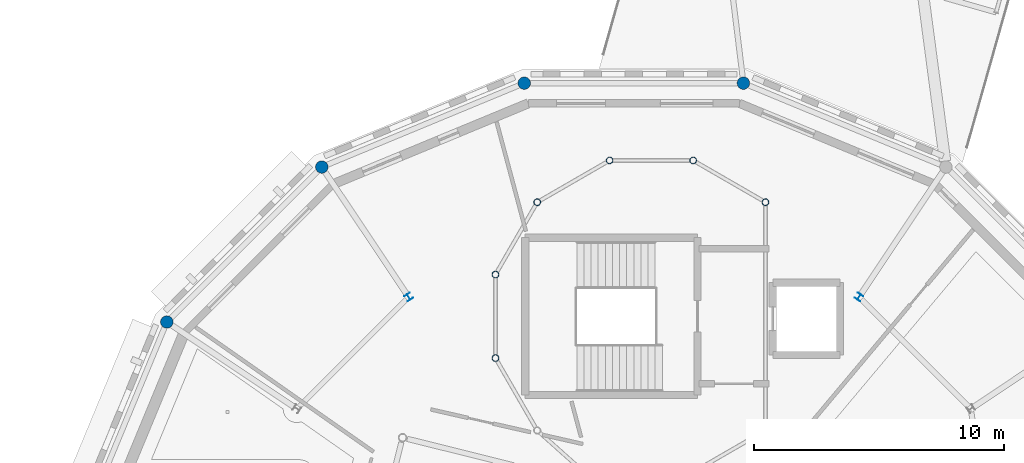
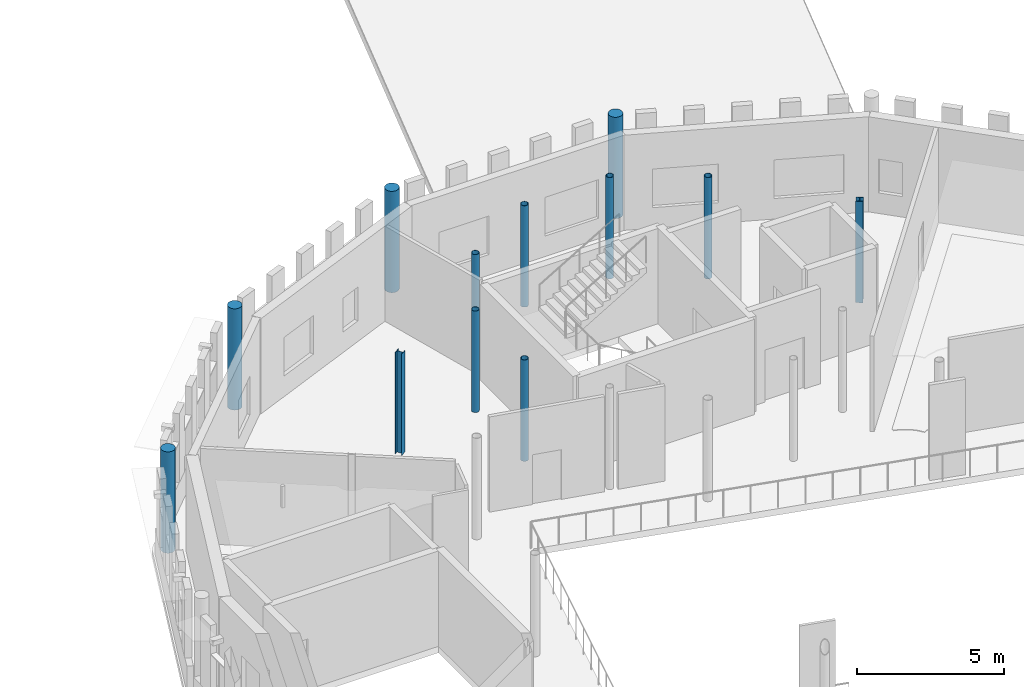
# One storey, part 13 of 68: 12 columns.
"""IFC4 building model written with IfcOpenShell, lengths in metres."""

from ifc_helpers import new_model, si_unit, direction, frame, origin, origin_2d, place, context, subcontext, project, spatial, circle, hollow_circle, i_section, extrude, material, material_profile, profile_set, type_object, element, save


model = new_model("IFC4")

# Units and contexts
model_context = context("Model", 3, precision=1e-05, world=origin(), true_north=direction((0.0, 1.0)))
body_context = subcontext(model_context, "Body", "Model", "MODEL_VIEW")
ifc_project = project(units=[si_unit("LENGTHUNIT", "METRE"), si_unit("AREAUNIT", "SQUARE_METRE"), si_unit("VOLUMEUNIT", "CUBIC_METRE"), si_unit("PLANEANGLEUNIT", "RADIAN"), si_unit("MASSUNIT", "GRAM", prefix="KILO")], contexts=[model_context])

# Site, building, storey
site_placement = place(None, origin())
site = spatial("IfcSite", under=ifc_project, at=site_placement, CompositionType="ELEMENT")
building_placement = place(site_placement, origin())
building = spatial("IfcBuilding", under=site, at=building_placement, Name="Wrenclough Park School", CompositionType="ELEMENT")
storey_placement = place(building_placement, frame((0.0, 0.0, 12.60009765625)))
storey = spatial("IfcBuildingStorey", under=building, at=storey_placement, Name="L03", CompositionType="ELEMENT", Elevation=12.60009765625)

# Columns
ifc_material_1 = material(Name="Structural steel S355", Category="steel")
ifc_material_profile_1 = material_profile(ifc_material_1, hollow_circle(Radius=0.136474609375, WallThickness=0.012451171875, at=origin_2d()), Name="CHS 273.0x12.5")
ifc_profile_set_1 = profile_set([ifc_material_profile_1], Name="Structural steel S355")
column_type_1 = type_object("IfcColumnType", Name="STR-COL-CHS273", PredefinedType="COLUMN", material=ifc_profile_set_1)
for number, where, z_axis, x_axis, name in (
    (1, (160.7607421875, 43.7607421875, 0.0), (0.0, 0.0, 1.0), (-0.707106781187, 0.707106781187, 0.0), "D1-SH L03 column D1SH-02"),
    (2, (157.869384765625, 45.43017578125, 0.0), (0.0, 0.0, 1.0), (-0.965925826289, 0.258819045103, 0.0), "D1-SH L03 column D1SH-03"),
    (3, (154.530517578125, 45.43017578125, 0.0), (0.0, 0.0, 1.0), (-0.965925826289, -0.258819045103, 0.0), "D1-SH L03 column D1SH-04"),
    (4, (151.63916015625, 43.7607421875, 0.0), (0.0, 0.0, 1.0), (-0.707106781187, -0.707106781187, 0.0), "D1-SH L03 column D1SH-05"),
    (5, (149.9697265625, 40.869384765625, 0.0), (0.0, 0.0, 1.0), (-0.258819045103, -0.965925826289, 0.0), "D1-SH L03 column D1SH-06"),
    (6, (149.9697265625, 37.530517578125, 0.0), (0.0, 0.0, 1.0), (0.258819045103, -0.965925826289, 0.0), "D1-SH L03 column D1SH-07"),
):
    element("IfcColumn", number, at=place(storey_placement, frame(where, z_axis=z_axis, x_axis=x_axis)), inside=storey, type_object=column_type_1, Name=name, PredefinedType="COLUMN", context=body_context, shape_type="SweptSolid", body=[
        extrude(hollow_circle(Radius=0.136474609375, WallThickness=0.012451171875, at=origin_2d()), origin(), (0.0, 0.0, 1.0), 4.199951171875),
    ])
ifc_material_2 = material(Name="Concrete C40/50", Category="concrete")
ifc_material_profile_2 = material_profile(ifc_material_2, circle(Radius=0.25, at=origin_2d()), Name="RC COL D500")
ifc_profile_set_2 = profile_set([ifc_material_profile_2], Name="Concrete C40/50")
column_type_2 = type_object("IfcColumnType", Name="STR-COL-RCD500", PredefinedType="COLUMN", material=ifc_profile_set_2)
for number, where, z_axis, x_axis, name in (
    (7, (159.8798828125, 48.5185546875, 0.0), (0.0, 0.0, 1.0), (-0.980785280403, 0.195090322016, 0.0), "D1 L03 column D1-OUT-04"),
    (8, (151.1201171875, 48.5185546875, 0.0), (0.0, 0.0, 1.0), (-0.980785280403, -0.195090322016, 0.0), "D1 L03 column D1-OUT-05"),
    (9, (143.02734375, 45.16650390625, 0.0), (0.0, 0.0, 1.0), (-0.831469612303, -0.55557023302, 0.0), "D1 L03 column D1-OUT-06"),
    (10, (136.83349609375, 38.97265625, 0.0), (0.0, 0.0, 1.0), (-0.55557023302, -0.831469612303, 0.0), "D1 L03 column D1-OUT-07"),
):
    element("IfcColumn", number, at=place(storey_placement, frame(where, z_axis=z_axis, x_axis=x_axis)), inside=storey, type_object=column_type_2, Name=name, PredefinedType="COLUMN", context=body_context, shape_type="SweptSolid", body=[
        extrude(circle(Radius=0.25, at=origin_2d()), origin(), (0.0, 0.0, 1.0), 4.199951171875),
    ])
ifc_material_profile_3 = material_profile(ifc_material_1, i_section(OverallWidth=0.254638671875, OverallDepth=0.254150390625, WebThickness=0.008544921875, FlangeThickness=0.01416015625, FilletRadius=0.0126953125, at=origin_2d()), Name="UKC 254x254x73")
ifc_profile_set_3 = profile_set([ifc_material_profile_3], Name="Structural steel S355")
column_type_3 = type_object("IfcColumnType", Name="STR-COL-UKC254A", PredefinedType="COLUMN", material=ifc_profile_set_3)
for number, where, z_axis, x_axis, name in (
    (11, (164.500244140625, 39.9697265625, 0.0), (0.0, 0.0, 1.0), (-0.831469612303, 0.55557023302, 0.0), "D1 L03 column D1-MID-03"),
    (12, (146.499755859375, 39.9697265625, 0.0), (0.0, 0.0, 1.0), (-0.831469612303, -0.55557023302, 0.0), "D1 L03 column D1-MID-06"),
):
    element("IfcColumn", number, at=place(storey_placement, frame(where, z_axis=z_axis, x_axis=x_axis)), inside=storey, type_object=column_type_3, Name=name, PredefinedType="COLUMN", context=body_context, shape_type="SweptSolid", body=[
        extrude(i_section(OverallWidth=0.254638671875, OverallDepth=0.254150390625, WebThickness=0.008544921875, FlangeThickness=0.01416015625, FilletRadius=0.0126953125, at=origin_2d()), origin(), (0.0, 0.0, 1.0), 4.199951171875),
    ])

save(model, "model.ifc")
